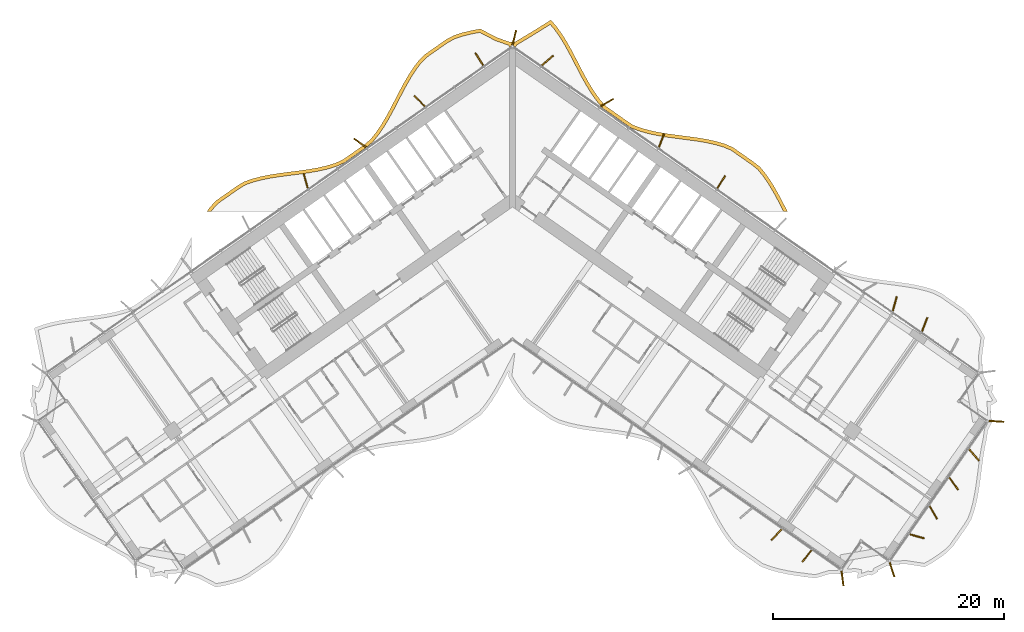
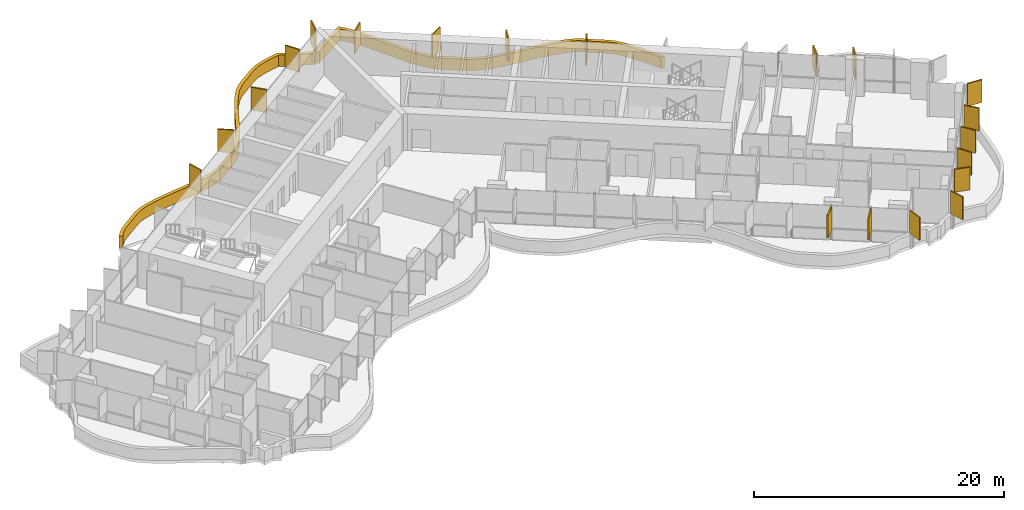
# One storey, part 22 of 23: 21 shading devices.
"""IFC4 building model written with IfcOpenShell, lengths in metres."""

from ifc_helpers import new_model, si_unit, direction, frame, origin, origin_2d, place, context, subcontext, project, spatial, polyline, rectangle, outline, extrude, material, layer, layer_set, type_object, element, save


model = new_model("IFC4")

# Units and contexts
model_context = context("Model", 3, precision=1e-05, world=origin(), true_north=direction((0.0, 1.0)))
body_context = subcontext(model_context, "Body", "Model", "MODEL_VIEW")
ifc_project = project(units=[si_unit("LENGTHUNIT", "METRE"), si_unit("AREAUNIT", "SQUARE_METRE"), si_unit("VOLUMEUNIT", "CUBIC_METRE"), si_unit("PLANEANGLEUNIT", "RADIAN"), si_unit("MASSUNIT", "GRAM", prefix="KILO")], contexts=[model_context])

# Site, building, storey
site_placement = place(None, origin())
site = spatial("IfcSite", under=ifc_project, at=site_placement, CompositionType="ELEMENT")
building_placement = place(site_placement, origin())
building = spatial("IfcBuilding", under=site, at=building_placement, Name="Tel Ilan Convention Tower", CompositionType="ELEMENT")
storey_placement = place(building_placement, frame((0.0, 0.0, 108.5)))
storey = spatial("IfcBuildingStorey", under=building, at=storey_placement, Name="L23", CompositionType="ELEMENT", Elevation=108.5)

# Shading devices
ifc_material_1 = material(Name="Aluminium, bronze anodised", Category="aluminium")
ifc_layer_1 = layer(ifc_material_1, 0.1201171875)
ifc_layer_set_1 = layer_set([ifc_layer_1], Name="FIN BRONZE 1300x120")
shading_device_type_1 = type_object("IfcShadingDeviceType", Name="FIN BRONZE 1300x120", PredefinedType="USERDEFINED", material=ifc_layer_set_1)
for number, where, z_axis, x_axis, name in (
    (1, (18.1064453125, 0.935302734375, 1.10009765625), (0.0, 0.0, 1.0), (0.533204432798, 0.845986425922, 0.0), "FIN"),
    (2, (12.9267578125, 4.553955078125, 1.10009765625), (0.0, 0.0, 1.0), (0.360177724803, 0.932883704733, 0.0), "FIN"),
    (3, (8.18798828125, 7.83447265625, 1.10009765625), (0.0, 0.0, 1.0), (0.866025403784, 0.5, 0.0), "FIN"),
    (4, (3.03466796875, 11.48046875, 1.10009765625), (0.0, 0.0, 1.0), (0.753435896329, 0.657521368568, 0.0), "FIN"),
    (5, (0.156005859375, 13.463134765625, 1.10009765625), (0.0, 0.0, 1.0), (0.240039791311, 0.970763049661, 0.0), "FIN"),
    (6, (-2.884765625, 11.593505859375, 1.10009765625), (0.0, 0.0, 1.0), (-0.533204432798, 0.845986425922, 0.0), "FIN"),
    (7, (-8.0615234375, 7.968505859375, 1.10009765625), (0.0, 0.0, 1.0), (-0.686241637865, 0.727373641577, 0.0), "FIN"),
    (8, (-13.224609375, 4.330078125, 1.10009765625), (0.0, 0.0, 1.0), (-0.813552070258, 0.581492071294, 0.0), "FIN"),
    (9, (-17.94384765625, 1.025634765625, 1.10009765625), (0.0, 0.0, 1.0), (-0.268172612768, 0.963370878614, 0.0), "FIN"),
    (10, (22.90478515625, -29.6513671875, 1.10009765625), (0.0, 0.0, 1.0), (-0.686241637865, -0.727373641577, 0.0), "FIN"),
    (11, (25.551025390625, -31.504638671875, 1.10009765625), (0.0, 0.0, 1.0), (-0.612600545196, -0.790392669516, 0.0), "FIN"),
    (12, (28.627685546875, -33.453125, 1.10009765625), (0.0, 0.0, 1.0), (0.125718016748, -0.992066016082, 0.0), "FIN"),
    (13, (32.9296875, -32.6943359375, 1.10009765625), (0.0, 0.0, 1.0), (0.314544756146, -0.949242643575, 0.0), "FIN"),
    (14, (35.086669921875, -29.79736328125, 1.10009765625), (0.0, 0.0, 1.0), (0.963370878614, -0.268172612768, 0.0), "FIN"),
    (15, (36.5107421875, -27.7314453125, 1.10009765625), (0.0, 0.0, 1.0), (0.5, -0.866025403784, 0.0), "FIN"),
    (16, (38.280029296875, -25.23681640625, 1.10009765625), (0.0, 0.0, 1.0), (0.581492071294, -0.813552070258, 0.0), "FIN"),
    (17, (40.045654296875, -22.737060546875, 1.10009765625), (0.0, 0.0, 1.0), (0.657521368568, -0.753435896329, 0.0), "FIN"),
    (18, (41.98974609375, -19.82373046875, 1.10009765625), (0.0, 0.0, 1.0), (0.997697449973, -0.067821812994, 0.0), "FIN"),
    (19, (35.759033203125, -11.433349609375, 1.10009765625), (0.0, 0.0, 1.0), (0.360177724803, 0.932883704733, 0.0), "FIN"),
    (20, (33.16552734375, -9.632568359375, 1.10009765625), (0.0, 0.0, 1.0), (0.268172612768, 0.963370878614, 0.0), "FIN"),
):
    element("IfcShadingDevice", number, at=place(storey_placement, frame(where, z_axis=z_axis, x_axis=x_axis)), inside=storey, type_object=shading_device_type_1, Name=name, ObjectType="FIN", PredefinedType="USERDEFINED", context=body_context, shape_type="SweptSolid", body=[
        extrude(rectangle(XDim=1.300048828125, YDim=0.1201171875, at=origin_2d()), origin(), (0.0, 0.0, 1.0), 2.219970703125),
    ])
ifc_material_2 = material(Name="Aluminium, bronze anodised", Category="aluminium")
ifc_layer_2 = layer(ifc_material_2, 0.300048828125)
ifc_layer_set_2 = layer_set([ifc_layer_2], Name="LOUVRE BAND 300x1100")
shading_device_type_2 = type_object("IfcShadingDeviceType", Name="LOUVRE BAND 300x1100", PredefinedType="USERDEFINED", material=ifc_layer_set_2)
shading_device_placement = place(storey_placement, origin())
element("IfcShadingDevice", 21, at=shading_device_placement, inside=storey, type_object=shading_device_type_2, Name="LOUVRE BAND 19.02", ObjectType="LOUVRE", PredefinedType="USERDEFINED", context=body_context, shape_type="SweptSolid", body=[
    extrude(outline(polyline([(-26.25927734375, -1.2568359375), (-26.53369140625, -1.631591796875), (-26.161865234375, -1.631591796875), (-26.0263671875, -1.44677734375), (-25.550048828125, -0.921630859375), (-23.767333984375, 0.32666015625), (-23.172119140625, 0.69384765625), (-22.488037109375, 0.931884765625), (-21.74560546875, 1.12646484375), (-20.9677734375, 1.28076171875), (-20.1630859375, 1.405517578125), (-18.510009765625, 1.619140625), (-17.68115234375, 1.73583984375), (-16.864013671875, 1.8779296875), (-16.0673828125, 2.058837890625), (-15.293212890625, 2.292236328125), (-14.563232421875, 2.620849609375), (-12.711669921875, 3.91748046875), (-12.110595703125, 4.42333984375), (-11.60400390625, 5.05859375), (-11.148193359375, 5.729736328125), (-10.724853515625, 6.43798828125), (-10.325439453125, 7.1708984375), (-9.557861328125, 8.65576171875), (-9.169921875, 9.37939453125), (-8.76708984375, 10.072509765625), (-8.3408203125, 10.72265625), (-7.890380859375, 11.3125), (-7.3837890625, 11.798583984375), (-5.60009765625, 13.047607421875), (-4.982177734375, 13.37744140625), (-4.2822265625, 13.604248046875), (-3.5302734375, 13.78759765625), (-2.8408203125, 13.914306640625), (-1.48388671875, 13.200927734375), (-0.362060546875, 12.812255859375), (-0.24609375, 12.646728515625), (0.0, 12.818115234375), (0.24609375, 12.646728515625), (0.38134765625, 12.839599609375), (1.88916015625, 13.747314453125), (3.271728515625, 14.607177734375), (3.593017578125, 14.232666015625), (4.037353515625, 13.614990234375), (4.454345703125, 12.947998046875), (4.8505859375, 12.2421875), (6.0068359375, 10.025390625), (6.4140625, 9.2998046875), (6.84814453125, 8.603759765625), (7.318115234375, 7.94921875), (7.845947265625, 7.3291015625), (9.697021484375, 6.0283203125), (10.3486328125, 5.60009765625), (11.1142578125, 5.323974609375), (11.8935546875, 5.112060546875), (12.69873046875, 4.94677734375), (13.521240234375, 4.815673828125), (15.99755859375, 4.4873046875), (16.79345703125, 4.35302734375), (17.559326171875, 4.18505859375), (18.284423828125, 3.97412109375), (18.94091796875, 3.7060546875), (20.723876953125, 2.457763671875), (21.272216796875, 2.02392578125), (21.729736328125, 1.462646484375), (22.166748046875, 0.83154296875), (22.57763671875, 0.153564453125), (22.97021484375, -0.56005859375), (23.52587890625, -1.631591796875), (23.86328125, -1.631591796875), (23.23486328125, -0.41845703125), (22.837646484375, 0.303466796875), (22.418701171875, 0.99462890625), (21.9697265625, 1.64306640625), (21.484130859375, 2.239013671875), (20.903076171875, 2.698486328125), (19.08544921875, 3.97119140625), (18.38330078125, 4.2578125), (17.63330078125, 4.47607421875), (16.8505859375, 4.647705078125), (16.043212890625, 4.783935546875), (13.564697265625, 5.112548828125), (12.75244140625, 5.241943359375), (11.963134765625, 5.404052734375), (11.20458984375, 5.610107421875), (10.483642578125, 5.8701171875), (9.865478515625, 6.276611328125), (8.050048828125, 7.55224609375), (7.5546875, 8.134033203125), (7.09765625, 8.770751953125), (6.672119140625, 9.452880859375), (6.2705078125, 10.168701171875), (5.1142578125, 12.385498046875), (4.71240234375, 13.100830078125), (4.28662109375, 13.7822265625), (3.8291015625, 14.418212890625), (3.331787109375, 14.997802734375), (1.732666015625, 14.003173828125), (0.168701171875, 13.059326171875), (0.11474609375, 13.09521484375), (0.0, 13.1181640625), (-0.11474609375, 13.09521484375), (-0.168701171875, 13.059326171875), (-1.3642578125, 13.47705078125), (-2.79296875, 14.228271484375), (-3.593017578125, 14.0810546875), (-4.364013671875, 13.89306640625), (-5.099853515625, 13.654541015625), (-5.75732421875, 13.3037109375), (-7.57470703125, 12.031005859375), (-8.11474609375, 11.512939453125), (-8.585693359375, 10.896240234375), (-9.022216796875, 10.230224609375), (-9.431884765625, 9.52587890625), (-9.823486328125, 8.79541015625), (-10.59033203125, 7.311767578125), (-10.985595703125, 6.586669921875), (-11.401123046875, 5.89111328125), (-11.845703125, 5.236572265625), (-12.326416015625, 4.633544921875), (-12.89453125, 4.155517578125), (-14.712158203125, 2.8828125), (-15.398681640625, 2.573974609375), (-16.14404296875, 2.34912109375), (-16.923095703125, 2.172119140625), (-17.727783203125, 2.0322265625), (-18.5498046875, 1.91650390625), (-20.20556640625, 1.70263671875), (-21.02001953125, 1.576171875), (-21.812744140625, 1.4189453125), (-22.57568359375, 1.218994140625), (-23.301513671875, 0.96630859375), (-23.93212890625, 0.577392578125), (-25.749755859375, -0.695068359375), (-26.25927734375, -1.2568359375)])), origin(), (0.0, 0.0, 1.0), 1.10009765625),
])

save(model, "model.ifc")
